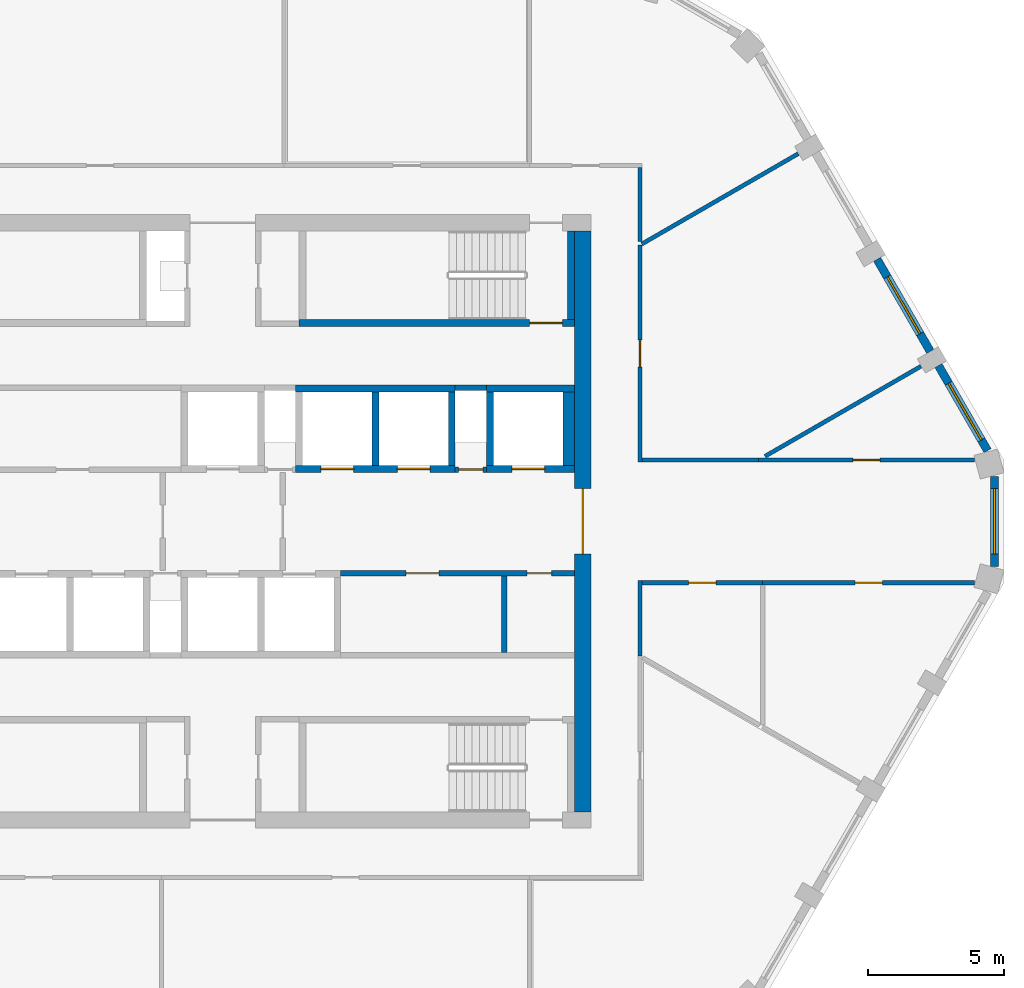
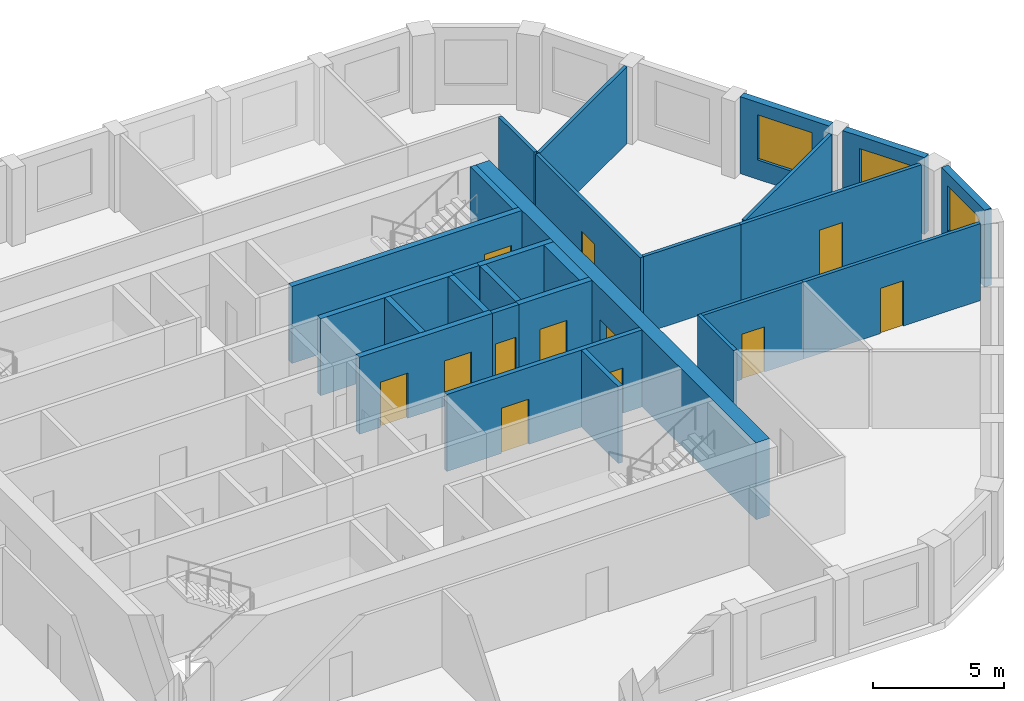
# One storey, part 5 of 10: 27 walls, 12 doors, 3 windows, 15 openings.
"""IFC4 building model written with IfcOpenShell, lengths in metres."""

from ifc_helpers import new_model, si_unit, direction, frame, frame_2d, origin, place, context, subcontext, project, spatial, polyline, rectangle, outline, extrude, material, layer, layer_set, type_object, element, fill, save


model = new_model("IFC4")

# Units and contexts
model_context = context("Model", 3, precision=1e-05, world=origin(), true_north=direction((0.0, 1.0)))
body_context = subcontext(model_context, "Body", "Model", "MODEL_VIEW")
ifc_project = project(units=[si_unit("LENGTHUNIT", "METRE"), si_unit("AREAUNIT", "SQUARE_METRE"), si_unit("VOLUMEUNIT", "CUBIC_METRE"), si_unit("PLANEANGLEUNIT", "RADIAN"), si_unit("MASSUNIT", "GRAM", prefix="KILO")], contexts=[model_context])

# Site, building, storey
site_placement = place(None, origin())
site = spatial("IfcSite", under=ifc_project, at=site_placement, CompositionType="ELEMENT")
building_placement = place(site_placement, origin())
building = spatial("IfcBuilding", under=site, at=building_placement, Name="Dhurran Vertical Campus", CompositionType="ELEMENT")
storey_placement = place(building_placement, frame((0.0, 0.0, 302.10009765625)))
storey = spatial("IfcBuildingStorey", under=building, at=storey_placement, Name="L75", CompositionType="ELEMENT", Elevation=302.10009765625)

# Wall, opening, window
ifc_material_1 = material(Name="Precast concrete C50/60", Category="concrete")
ifc_layer_1 = layer(ifc_material_1, 0.300048828125)
ifc_layer_set_1 = layer_set([ifc_layer_1], Name="Precast concrete C50/60")
wall_type_1 = type_object("IfcWallType", Name="Precast spandrel wall 300", PredefinedType="SOLIDWALL", material=ifc_layer_set_1)
wall_1_placement = place(storey_placement, frame((28.297119140625, -1.64990234375, 0.0), z_axis=(0.0, 0.0, 1.0), x_axis=(0.0, 1.0, 0.0)))
wall_1 = element("IfcWall", 1, at=wall_1_placement, inside=storey, type_object=wall_type_1, Name="EW1 L75.12", PredefinedType="SOLIDWALL", context=body_context, shape_type="SweptSolid", body=[
    extrude(rectangle(XDim=3.2998046875, YDim=0.300048828125, at=frame_2d((1.64990234375, 0.0))), origin(), (0.0, 0.0, 1.0), 3.574951171875),
])
opening_1_placement = place(wall_1_placement, frame((0.449951171875, 0.0, 0.89990234375)))
opening_1 = element("IfcOpeningElement", 2, at=opening_1_placement, cuts=wall_1, Name="Opening WT1", PredefinedType="OPENING", context=body_context, shape_type="SweptSolid", body=[
    extrude(rectangle(XDim=2.39990234375, YDim=2.10009765625, at=frame_2d((1.199951171875, 1.050048828125))), frame((0.0, 0.159912109375, 0.0), z_axis=(0.0, -1.0, 0.0), x_axis=(1.0, 0.0, 0.0)), (0.0, 0.0, 1.0), 0.320068359375),
])
ifc_material_2 = material(Name="Aluminium frame with solar-control glass", Category="aluminium")
window_type = type_object("IfcWindowType", Name="Punched window 2400 x 2100", PartitioningType="SINGLE_PANEL", PredefinedType="WINDOW", material=ifc_material_2)
window_1_placement = place(opening_1_placement, origin())
window_1 = element("IfcWindow", 3, at=window_1_placement, inside=storey, type_object=window_type, Name="WT1 L75.12", OverallHeight=2.10009765625, OverallWidth=2.39990234375, PartitioningType="SINGLE_PANEL", PredefinedType="WINDOW", context=body_context, shape_type="SweptSolid", body=[
    extrude(rectangle(XDim=2.39990234375, YDim=2.10009765625, at=frame_2d((1.199951171875, 1.050048828125))), frame((0.0, 0.030029296875, 0.0), z_axis=(0.0, -1.0, 0.0), x_axis=(1.0, 0.0, 0.0)), (0.0, 0.0, 1.0), 0.06005859375),
])
fill(opening_1, window_1)

wall_2_placement = place(storey_placement, frame((28.0439453125, 2.5947265625, 0.0), z_axis=(0.0, 0.0, 1.0), x_axis=(-0.499969057507, 0.866043267704, 0.0)))
wall_2 = element("IfcWall", 4, at=wall_2_placement, inside=storey, type_object=wall_type_1, Name="EW1 L75.13", PredefinedType="SOLIDWALL", context=body_context, shape_type="SweptSolid", body=[
    extrude(rectangle(XDim=3.599365234375, YDim=0.300048828125, at=frame_2d((1.7998046875, 0.0))), origin(), (0.0, 0.0, 1.0), 3.574951171875),
])
opening_2_placement = place(wall_2_placement, frame((0.449951171875, 0.0, 0.89990234375)))
opening_2 = element("IfcOpeningElement", 5, at=opening_2_placement, cuts=wall_2, Name="Opening WT1", PredefinedType="OPENING", context=body_context, shape_type="SweptSolid", body=[
    extrude(rectangle(XDim=2.39990234375, YDim=2.10009765625, at=frame_2d((1.199951171875, 1.050048828125))), frame((0.0, 0.159912109375, 0.0), z_axis=(0.0, -1.0, 0.0), x_axis=(1.0, 0.0, 0.0)), (0.0, 0.0, 1.0), 0.320068359375),
])
window_2_placement = place(opening_2_placement, origin())
window_2 = element("IfcWindow", 6, at=window_2_placement, inside=storey, type_object=window_type, Name="WT1 L75.13", OverallHeight=2.10009765625, OverallWidth=2.39990234375, PartitioningType="SINGLE_PANEL", PredefinedType="WINDOW", context=body_context, shape_type="SweptSolid", body=[
    extrude(rectangle(XDim=2.39990234375, YDim=2.10009765625, at=frame_2d((1.199951171875, 1.050048828125))), frame((0.0, 0.030029296875, 0.0), z_axis=(0.0, -1.0, 0.0), x_axis=(1.0, 0.0, 0.0)), (0.0, 0.0, 1.0), 0.06005859375),
])
fill(opening_2, window_2)

wall_3_placement = place(storey_placement, frame((25.94384765625, 6.232421875, 0.0), z_axis=(0.0, 0.0, 1.0), x_axis=(-0.500011542666, 0.866018739521, 0.0)))
wall_3 = element("IfcWall", 7, at=wall_3_placement, inside=storey, type_object=wall_type_1, Name="EW1 L75.14", PredefinedType="SOLIDWALL", context=body_context, shape_type="SweptSolid", body=[
    extrude(rectangle(XDim=3.89892578125, YDim=0.300048828125, at=frame_2d((1.949462890625, 0.0))), origin(), (0.0, 0.0, 1.0), 3.574951171875),
])
opening_3_placement = place(wall_3_placement, frame((0.74951171875, 0.0, 0.89990234375)))
opening_3 = element("IfcOpeningElement", 8, at=opening_3_placement, cuts=wall_3, Name="Opening WT1", PredefinedType="OPENING", context=body_context, shape_type="SweptSolid", body=[
    extrude(rectangle(XDim=2.39990234375, YDim=2.10009765625, at=frame_2d((1.199951171875, 1.050048828125))), frame((0.0, 0.159912109375, 0.0), z_axis=(0.0, -1.0, 0.0), x_axis=(1.0, 0.0, 0.0)), (0.0, 0.0, 1.0), 0.320068359375),
])
window_3_placement = place(opening_3_placement, origin())
window_3 = element("IfcWindow", 9, at=window_3_placement, inside=storey, type_object=window_type, Name="WT1 L75.14", OverallHeight=2.10009765625, OverallWidth=2.39990234375, PartitioningType="SINGLE_PANEL", PredefinedType="WINDOW", context=body_context, shape_type="SweptSolid", body=[
    extrude(rectangle(XDim=2.39990234375, YDim=2.10009765625, at=frame_2d((1.199951171875, 1.050048828125))), frame((0.0, 0.030029296875, 0.0), z_axis=(0.0, -1.0, 0.0), x_axis=(1.0, 0.0, 0.0)), (0.0, 0.0, 1.0), 0.06005859375),
])
fill(opening_3, window_3)

# Wall, opening, door
ifc_material_3 = material(Name="Concrete C50/60", Category="concrete")
ifc_layer_2 = layer(ifc_material_3, 0.60009765625)
ifc_layer_set_2 = layer_set([ifc_layer_2], Name="Concrete C50/60")
wall_type_2 = type_object("IfcWallType", Name="co-CORE-WALL-C2-600", PredefinedType="SHEAR", material=ifc_layer_set_2)
wall_4_placement = place(storey_placement, frame((13.199951171875, -10.64990234375, 0.0), z_axis=(0.0, 0.0, 1.0), x_axis=(0.0, 1.0, 0.0)))
wall_4 = element("IfcWall", 10, at=wall_4_placement, inside=storey, type_object=wall_type_2, Name="Core wall E L75", PredefinedType="SHEAR", context=body_context, shape_type="SweptSolid", body=[
    extrude(rectangle(XDim=21.2998046875, YDim=0.60009765625, at=frame_2d((10.64990234375, 0.0))), origin(), (0.0, 0.0, 1.0), 3.574951171875),
])
opening_4_placement = place(wall_4_placement, frame((9.449951171875, 0.0, 0.0)))
opening_4 = element("IfcOpeningElement", 11, at=opening_4_placement, cuts=wall_4, Name="Opening CL2", PredefinedType="OPENING", context=body_context, shape_type="SweptSolid", body=[
    extrude(rectangle(XDim=2.39990234375, YDim=2.10009765625, at=frame_2d((1.199951171875, 1.050048828125))), frame((0.0, 0.31005859375, 0.0), z_axis=(0.0, -1.0, 0.0), x_axis=(1.0, 0.0, 0.0)), (0.0, 0.0, 1.0), 0.6201171875),
])
ifc_material_4 = material(Name="Fire-rated glazed door set")
door_type_1 = type_object("IfcDoorType", Name="co-D-LOBBY 2400x2100", OperationType="DOUBLE_DOOR_DOUBLE_SWING", PredefinedType="DOOR", material=ifc_material_4)
door_1_placement = place(opening_4_placement, origin())
door_1 = element("IfcDoor", 12, at=door_1_placement, inside=storey, type_object=door_type_1, Name="Lift lobby door E L75", OperationType="DOUBLE_DOOR_DOUBLE_SWING", OverallHeight=2.10009765625, OverallWidth=2.39990234375, PredefinedType="DOOR", context=body_context, shape_type="SweptSolid", body=[
    extrude(rectangle(XDim=2.39990234375, YDim=2.10009765625, at=frame_2d((1.199951171875, 1.050048828125))), frame((0.0, 0.02490234375, 0.0), z_axis=(0.0, -1.0, 0.0), x_axis=(1.0, 0.0, 0.0)), (0.0, 0.0, 1.0), 0.050048828125),
])
fill(opening_4, door_1)

ifc_material_5 = material(Name="Fire-rated masonry blockwork", Category="masonry")
ifc_layer_3 = layer(ifc_material_5, 0.199951171875)
ifc_layer_set_3 = layer_set([ifc_layer_3], Name="Fire-rated masonry blockwork")
wall_type_3 = type_object("IfcWallType", Name="co-FIRE-PARTITION-200", PredefinedType="PARTITIONING", material=ifc_layer_set_3)
wall_5_placement = place(storey_placement, frame((8.52490234375, 1.89990234375, 0.0), z_axis=(0.0, 0.0, 1.0), x_axis=(1.0, 0.0, 0.0)))
wall_5 = element("IfcWall", 13, at=wall_5_placement, inside=storey, type_object=wall_type_3, Name="Core partition fr-N2-f L75", PredefinedType="PARTITIONING", context=body_context, shape_type="SweptSolid", body=[
    extrude(rectangle(XDim=1.150146484375, YDim=0.199951171875, at=frame_2d((0.5751953125, 0.0))), origin(), (0.0, 0.0, 1.0), 3.574951171875),
])
opening_5_placement = place(wall_5_placement, frame((0.125, 0.0, 0.0)))
opening_5 = element("IfcOpeningElement", 14, at=opening_5_placement, cuts=wall_5, Name="Opening T22-C8", PredefinedType="OPENING", context=body_context, shape_type="SweptSolid", body=[
    extrude(rectangle(XDim=0.89990234375, YDim=2.10009765625, at=frame_2d((0.449951171875, 1.050048828125))), frame((0.0, 0.10986328125, 0.0), z_axis=(0.0, -1.0, 0.0), x_axis=(1.0, 0.0, 0.0)), (0.0, 0.0, 1.0), 0.219970703125),
])
ifc_material_6 = material(Name="Fire-rated timber door set", Category="wood")
door_type_2 = type_object("IfcDoorType", Name="co-D-ROOM 900x2100", OperationType="SINGLE_SWING_LEFT", PredefinedType="DOOR", material=ifc_material_6)
door_2_placement = place(opening_5_placement, origin())
door_2 = element("IfcDoor", 15, at=door_2_placement, inside=storey, type_object=door_type_2, Name="Communications riser door L75", OperationType="SINGLE_SWING_LEFT", OverallHeight=2.10009765625, OverallWidth=0.89990234375, PredefinedType="DOOR", context=body_context, shape_type="SweptSolid", body=[
    extrude(rectangle(XDim=0.89990234375, YDim=2.10009765625, at=frame_2d((0.449951171875, 1.050048828125))), frame((0.0, 0.02490234375, 0.0), z_axis=(0.0, -1.0, 0.0), x_axis=(1.0, 0.0, 0.0)), (0.0, 0.0, 1.0), 0.050048828125),
])
fill(opening_5, door_2)

# Walls
wall_6_placement = place(storey_placement, frame((8.52490234375, 4.89990234375, 0.0), z_axis=(0.0, 0.0, 1.0), x_axis=(1.0, 0.0, 0.0)))
element("IfcWall", 16, at=wall_6_placement, inside=storey, type_object=wall_type_3, Name="Core partition fr-N2-b L75", PredefinedType="PARTITIONING", context=body_context, shape_type="SweptSolid", body=[
    extrude(rectangle(XDim=1.150146484375, YDim=0.199951171875, at=frame_2d((0.5751953125, 0.0))), origin(), (0.0, 0.0, 1.0), 3.574951171875),
])
wall_7_placement = place(storey_placement, frame((10.327392578125, -4.800048828125, 0.0), z_axis=(0.0, 0.0, 1.0), x_axis=(0.0, 1.0, 0.0)))
element("IfcWall", 17, at=wall_7_placement, inside=storey, type_object=wall_type_3, Name="Core partition fr-S2-cut0 L75", PredefinedType="PARTITIONING", context=body_context, shape_type="SweptSolid", body=[
    extrude(rectangle(XDim=2.800048828125, YDim=0.199951171875, at=frame_2d((1.39990234375, 0.0))), origin(), (0.0, 0.0, 1.0), 3.574951171875),
])

# Wall, openings, doors
wall_8_placement = place(storey_placement, frame((4.324951171875, -1.89990234375, 0.0), z_axis=(0.0, 0.0, 1.0), x_axis=(1.0, 0.0, 0.0)))
wall_8 = element("IfcWall", 18, at=wall_8_placement, inside=storey, type_object=wall_type_3, Name="Core partition fr-S2-f L75", PredefinedType="PARTITIONING", context=body_context, shape_type="SweptSolid", body=[
    extrude(rectangle(XDim=8.574951171875, YDim=0.199951171875, at=frame_2d((4.28759765625, 0.0))), origin(), (0.0, 0.0, 1.0), 3.574951171875),
])
opening_6_placement = place(wall_8_placement, frame((2.4013671875, 0.0, 0.0)))
opening_6 = element("IfcOpeningElement", 19, at=opening_6_placement, cuts=wall_8, Name="Opening T22-C11", PredefinedType="OPENING", context=body_context, shape_type="SweptSolid", body=[
    extrude(rectangle(XDim=1.199951171875, YDim=2.10009765625, at=frame_2d((0.60009765625, 1.050048828125))), frame((0.0, 0.10986328125, 0.0), z_axis=(0.0, -1.0, 0.0), x_axis=(1.0, 0.0, 0.0)), (0.0, 0.0, 1.0), 0.219970703125),
])
opening_7_placement = place(wall_8_placement, frame((6.8388671875, 0.0, 0.0)))
opening_7 = element("IfcOpeningElement", 20, at=opening_7_placement, cuts=wall_8, Name="Opening T22-C12", PredefinedType="OPENING", context=body_context, shape_type="SweptSolid", body=[
    extrude(rectangle(XDim=0.89990234375, YDim=2.10009765625, at=frame_2d((0.449951171875, 1.050048828125))), frame((0.0, 0.10986328125, 0.0), z_axis=(0.0, -1.0, 0.0), x_axis=(1.0, 0.0, 0.0)), (0.0, 0.0, 1.0), 0.219970703125),
])
door_3_placement = place(opening_7_placement, origin())
door_3 = element("IfcDoor", 21, at=door_3_placement, inside=storey, type_object=door_type_2, Name="Server room door L75", OperationType="SINGLE_SWING_LEFT", OverallHeight=2.10009765625, OverallWidth=0.89990234375, PredefinedType="DOOR", context=body_context, shape_type="SweptSolid", body=[
    extrude(rectangle(XDim=0.89990234375, YDim=2.10009765625, at=frame_2d((0.449951171875, 1.050048828125))), frame((0.0, 0.02490234375, 0.0), z_axis=(0.0, -1.0, 0.0), x_axis=(1.0, 0.0, 0.0)), (0.0, 0.0, 1.0), 0.050048828125),
])
fill(opening_7, door_3)
ifc_material_7 = material(Name="Fire-rated steel door set", Category="steel")
door_type_3 = type_object("IfcDoorType", Name="co-D-ROOM-PASSAGE 1200x2100", OperationType="SINGLE_SWING_RIGHT", PredefinedType="DOOR", material=ifc_material_7)
door_4_placement = place(opening_6_placement, origin())
door_4 = element("IfcDoor", 22, at=door_4_placement, inside=storey, type_object=door_type_3, Name="Store door L75", OperationType="SINGLE_SWING_RIGHT", OverallHeight=2.10009765625, OverallWidth=1.199951171875, PredefinedType="DOOR", context=body_context, shape_type="SweptSolid", body=[
    extrude(rectangle(XDim=1.199951171875, YDim=2.10009765625, at=frame_2d((0.60009765625, 1.050048828125))), frame((0.0, 0.02490234375, 0.0), z_axis=(0.0, -1.0, 0.0), x_axis=(1.0, 0.0, 0.0)), (0.0, 0.0, 1.0), 0.050048828125),
])
fill(opening_6, door_4)

ifc_material_8 = material(Name="Concrete C50/60", Category="concrete")
ifc_layer_4 = layer(ifc_material_8, 0.25)
ifc_layer_set_4 = layer_set([ifc_layer_4], Name="Concrete C50/60")
wall_type_4 = type_object("IfcWallType", Name="co-SHAFT-FRONT-250", PredefinedType="SHEAR", material=ifc_layer_set_4)
wall_9_placement = place(storey_placement, frame((2.675048828125, 1.925048828125, 0.0), z_axis=(0.0, 0.0, 1.0), x_axis=(1.0, 0.0, 0.0)))
wall_9 = element("IfcWall", 23, at=wall_9_placement, inside=storey, type_object=wall_type_4, Name="Lift landing wall N L75", PredefinedType="SHEAR", context=body_context, shape_type="SweptSolid", body=[
    extrude(rectangle(XDim=5.849853515625, YDim=0.25, at=frame_2d((2.9248046875, 0.0))), origin(), (0.0, 0.0, 1.0), 3.574951171875),
])
opening_8_placement = place(wall_9_placement, frame((0.925048828125, 0.0, 0.0)))
opening_8 = element("IfcOpeningElement", 24, at=opening_8_placement, cuts=wall_9, Name="Opening LD", PredefinedType="OPENING", context=body_context, shape_type="SweptSolid", body=[
    extrude(rectangle(XDim=1.199951171875, YDim=2.10009765625, at=frame_2d((0.60009765625, 1.050048828125))), frame((0.0, 0.135009765625, 0.0), z_axis=(0.0, -1.0, 0.0), x_axis=(1.0, 0.0, 0.0)), (0.0, 0.0, 1.0), 0.27001953125),
])
opening_9_placement = place(wall_9_placement, frame((3.72509765625, 0.0, 0.0)))
opening_9 = element("IfcOpeningElement", 25, at=opening_9_placement, cuts=wall_9, Name="Opening LD", PredefinedType="OPENING", context=body_context, shape_type="SweptSolid", body=[
    extrude(rectangle(XDim=1.199951171875, YDim=2.10009765625, at=frame_2d((0.60009765625, 1.050048828125))), frame((0.0, 0.135009765625, 0.0), z_axis=(0.0, -1.0, 0.0), x_axis=(1.0, 0.0, 0.0)), (0.0, 0.0, 1.0), 0.27001953125),
])
ifc_material_9 = material(Name="Stainless steel landing door", Category="steel")
door_type_4 = type_object("IfcDoorType", Name="co-D-LANDING 1200x2100", OperationType="DOUBLE_DOOR_SLIDING", PredefinedType="DOOR", material=ifc_material_9)
door_5_placement = place(opening_8_placement, origin())
door_5 = element("IfcDoor", 26, at=door_5_placement, inside=storey, type_object=door_type_4, Name="Landing door HR1 L75", OperationType="DOUBLE_DOOR_SLIDING", OverallHeight=2.10009765625, OverallWidth=1.199951171875, PredefinedType="DOOR", context=body_context, shape_type="SweptSolid", body=[
    extrude(rectangle(XDim=1.199951171875, YDim=2.10009765625, at=frame_2d((0.60009765625, 1.050048828125))), frame((0.0, 0.02490234375, 0.0), z_axis=(0.0, -1.0, 0.0), x_axis=(1.0, 0.0, 0.0)), (0.0, 0.0, 1.0), 0.050048828125),
])
fill(opening_8, door_5)
door_6_placement = place(opening_9_placement, origin())
door_6 = element("IfcDoor", 27, at=door_6_placement, inside=storey, type_object=door_type_4, Name="Landing door HR2 L75", OperationType="DOUBLE_DOOR_SLIDING", OverallHeight=2.10009765625, OverallWidth=1.199951171875, PredefinedType="DOOR", context=body_context, shape_type="SweptSolid", body=[
    extrude(rectangle(XDim=1.199951171875, YDim=2.10009765625, at=frame_2d((0.60009765625, 1.050048828125))), frame((0.0, 0.02490234375, 0.0), z_axis=(0.0, -1.0, 0.0), x_axis=(1.0, 0.0, 0.0)), (0.0, 0.0, 1.0), 0.050048828125),
])
fill(opening_9, door_6)

# Wall, opening, door
wall_10_placement = place(storey_placement, frame((9.675048828125, 1.925048828125, 0.0), z_axis=(0.0, 0.0, 1.0), x_axis=(1.0, 0.0, 0.0)))
wall_10 = element("IfcWall", 28, at=wall_10_placement, inside=storey, type_object=wall_type_4, Name="Lift landing wall N L75", PredefinedType="SHEAR", context=body_context, shape_type="SweptSolid", body=[
    extrude(rectangle(XDim=3.224853515625, YDim=0.25, at=frame_2d((1.6123046875, 0.0))), origin(), (0.0, 0.0, 1.0), 3.574951171875),
])
opening_10_placement = place(wall_10_placement, frame((0.925048828125, 0.0, 0.0)))
opening_10 = element("IfcOpeningElement", 29, at=opening_10_placement, cuts=wall_10, Name="Opening LD", PredefinedType="OPENING", context=body_context, shape_type="SweptSolid", body=[
    extrude(rectangle(XDim=1.199951171875, YDim=2.10009765625, at=frame_2d((0.60009765625, 1.050048828125))), frame((0.0, 0.135009765625, 0.0), z_axis=(0.0, -1.0, 0.0), x_axis=(1.0, 0.0, 0.0)), (0.0, 0.0, 1.0), 0.27001953125),
])
door_7_placement = place(opening_10_placement, origin())
door_7 = element("IfcDoor", 30, at=door_7_placement, inside=storey, type_object=door_type_4, Name="Landing door SV2 L75", OperationType="DOUBLE_DOOR_SLIDING", OverallHeight=2.10009765625, OverallWidth=1.199951171875, PredefinedType="DOOR", context=body_context, shape_type="SweptSolid", body=[
    extrude(rectangle(XDim=1.199951171875, YDim=2.10009765625, at=frame_2d((0.60009765625, 1.050048828125))), frame((0.0, 0.02490234375, 0.0), z_axis=(0.0, -1.0, 0.0), x_axis=(1.0, 0.0, 0.0)), (0.0, 0.0, 1.0), 0.050048828125),
])
fill(opening_10, door_7)

# Walls
ifc_material_10 = material(Name="Concrete C50/60", Category="concrete")
ifc_layer_5 = layer(ifc_material_10, 0.25)
ifc_layer_set_5 = layer_set([ifc_layer_5], Name="Concrete C50/60")
wall_type_5 = type_object("IfcWallType", Name="co-SHAFT-MASS-250", PredefinedType="SHEAR", material=ifc_layer_set_5)
wall_11_placement = place(storey_placement, origin())
element("IfcWall", 31, at=wall_11_placement, inside=storey, type_object=wall_type_5, Name="Lift shaft wall N L75 2", PredefinedType="SHEAR", context=body_context, shape_type="SweptSolid", body=[
    extrude(outline(polyline([(2.675048828125, 4.75), (8.52490234375, 4.75), (8.52490234375, 5.0), (2.675048828125, 5.0), (2.675048828125, 4.75)])), origin(), (0.0, 0.0, 1.0), 3.574951171875),
])
wall_12_placement = place(storey_placement, origin())
element("IfcWall", 32, at=wall_12_placement, inside=storey, type_object=wall_type_5, Name="Lift shaft wall N L75 3", PredefinedType="SHEAR", context=body_context, shape_type="SweptSolid", body=[
    extrude(outline(polyline([(9.675048828125, 4.75), (12.89990234375, 4.75), (12.89990234375, 5.0), (9.675048828125, 5.0), (9.675048828125, 4.75)])), origin(), (0.0, 0.0, 1.0), 3.574951171875),
])
wall_13_placement = place(storey_placement, origin())
element("IfcWall", 33, at=wall_13_placement, inside=storey, type_object=wall_type_5, Name="Lift shaft wall N L75 7", PredefinedType="SHEAR", context=body_context, shape_type="SweptSolid", body=[
    extrude(outline(polyline([(5.47509765625, 2.050048828125), (5.72509765625, 2.050048828125), (5.72509765625, 4.75), (5.47509765625, 4.75), (5.47509765625, 2.050048828125)])), origin(), (0.0, 0.0, 1.0), 3.574951171875),
])
wall_14_placement = place(storey_placement, origin())
element("IfcWall", 34, at=wall_14_placement, inside=storey, type_object=wall_type_5, Name="Lift shaft wall N L75 8", PredefinedType="SHEAR", context=body_context, shape_type="SweptSolid", body=[
    extrude(outline(polyline([(8.27490234375, 2.050048828125), (8.52490234375, 2.050048828125), (8.52490234375, 4.75), (8.27490234375, 4.75), (8.27490234375, 2.050048828125)])), origin(), (0.0, 0.0, 1.0), 3.574951171875),
])
wall_15_placement = place(storey_placement, origin())
element("IfcWall", 35, at=wall_15_placement, inside=storey, type_object=wall_type_5, Name="Lift shaft wall N L75 9", PredefinedType="SHEAR", context=body_context, shape_type="SweptSolid", body=[
    extrude(outline(polyline([(9.675048828125, 2.050048828125), (9.925048828125, 2.050048828125), (9.925048828125, 4.75), (9.675048828125, 4.75), (9.675048828125, 2.050048828125)])), origin(), (0.0, 0.0, 1.0), 3.574951171875),
])
wall_16_placement = place(storey_placement, origin())
element("IfcWall", 36, at=wall_16_placement, inside=storey, type_object=wall_type_5, Name="Lift shaft wall N L75 10", PredefinedType="SHEAR", context=body_context, shape_type="SweptSolid", body=[
    extrude(outline(polyline([(12.47509765625, 2.050048828125), (12.89990234375, 2.050048828125), (12.89990234375, 4.75), (12.47509765625, 4.75), (12.47509765625, 2.050048828125)])), origin(), (0.0, 0.0, 1.0), 3.574951171875),
])

# Wall, opening, door
ifc_material_11 = material(Name="Concrete C40/50", Category="concrete")
ifc_layer_6 = layer(ifc_material_11, 0.25)
ifc_layer_set_6 = layer_set([ifc_layer_6], Name="Concrete C40/50")
wall_type_6 = type_object("IfcWallType", Name="co-STAIR-WALL-250", PredefinedType="SHEAR", material=ifc_layer_set_6)
wall_17_placement = place(storey_placement, frame((2.800048828125, 7.27490234375, 0.0), z_axis=(0.0, 0.0, 1.0), x_axis=(1.0, 0.0, 0.0)))
wall_17 = element("IfcWall", 37, at=wall_17_placement, inside=storey, type_object=wall_type_6, Name="Stair ST2 enclosure wall L75", PredefinedType="SHEAR", context=body_context, shape_type="SweptSolid", body=[
    extrude(rectangle(XDim=10.099853515625, YDim=0.25, at=frame_2d((5.0498046875, 0.0))), origin(), (0.0, 0.0, 1.0), 3.574951171875),
])
opening_11_placement = place(wall_17_placement, frame((8.449951171875, 0.0, 0.0)))
opening_11 = element("IfcOpeningElement", 38, at=opening_11_placement, cuts=wall_17, Name="Opening SD2", PredefinedType="OPENING", context=body_context, shape_type="SweptSolid", body=[
    extrude(rectangle(XDim=1.199951171875, YDim=2.10009765625, at=frame_2d((0.60009765625, 1.050048828125))), frame((0.0, 0.135009765625, 0.0), z_axis=(0.0, -1.0, 0.0), x_axis=(1.0, 0.0, 0.0)), (0.0, 0.0, 1.0), 0.27001953125),
])
ifc_material_12 = material(Name="Fire-rated steel door set", Category="steel")
door_type_5 = type_object("IfcDoorType", Name="co-D-STAIR 1200x2100", OperationType="SINGLE_SWING_LEFT", PredefinedType="DOOR", material=ifc_material_12)
door_8_placement = place(opening_11_placement, origin())
door_8 = element("IfcDoor", 39, at=door_8_placement, inside=storey, type_object=door_type_5, Name="Stair ST2 door L75", OperationType="SINGLE_SWING_LEFT", OverallHeight=2.10009765625, OverallWidth=1.199951171875, PredefinedType="DOOR", context=body_context, shape_type="SweptSolid", body=[
    extrude(rectangle(XDim=1.199951171875, YDim=2.10009765625, at=frame_2d((0.60009765625, 1.050048828125))), frame((0.0, 0.02490234375, 0.0), z_axis=(0.0, -1.0, 0.0), x_axis=(1.0, 0.0, 0.0)), (0.0, 0.0, 1.0), 0.050048828125),
])
fill(opening_11, door_8)

# Walls
wall_18_placement = place(storey_placement, frame((12.77490234375, 7.39990234375, 0.0), z_axis=(0.0, 0.0, 1.0), x_axis=(0.0, 1.0, 0.0)))
element("IfcWall", 40, at=wall_18_placement, inside=storey, type_object=wall_type_6, Name="Stair ST2 enclosure wall L75", PredefinedType="SHEAR", context=body_context, shape_type="SweptSolid", body=[
    extrude(rectangle(XDim=3.25, YDim=0.25, at=frame_2d((1.625, 0.0))), origin(), (0.0, 0.0, 1.0), 3.574951171875),
])
ifc_material_13 = material(Name="Gypsum board corridor wall on steel studs", Category="steel")
ifc_layer_7 = layer(ifc_material_13, 0.14990234375)
ifc_layer_set_7 = layer_set([ifc_layer_7], Name="Gypsum board corridor wall on steel studs")
wall_type_7 = type_object("IfcWallType", Name="fl-CW-150 corridor wall", PredefinedType="PARTITIONING", material=ifc_layer_set_7)
wall_19_placement = place(storey_placement, frame((15.300048828125, -4.93603515625, 0.0), z_axis=(0.0, 0.0, 1.0), x_axis=(0.0, 1.0, 0.0)))
element("IfcWall", 41, at=wall_19_placement, inside=storey, type_object=wall_type_7, Name="Partition 75-33", PredefinedType="PARTITIONING", context=body_context, shape_type="SweptSolid", body=[
    extrude(rectangle(XDim=2.760986328125, YDim=0.14990234375, at=frame_2d((1.38037109375, 0.0))), origin(), (0.0, 0.0, 1.0), 3.574951171875),
])

# Wall, opening, door
wall_20_placement = place(storey_placement, frame((19.800048828125, -2.25, 0.0), z_axis=(0.0, 0.0, 1.0), x_axis=(-1.0, 0.0, 0.0)))
wall_20 = element("IfcWall", 42, at=wall_20_placement, inside=storey, type_object=wall_type_7, Name="Partition 75-35", PredefinedType="PARTITIONING", context=body_context, shape_type="SweptSolid", body=[
    extrude(rectangle(XDim=4.425048828125, YDim=0.14990234375, at=frame_2d((2.21240234375, 0.0))), origin(), (0.0, 0.0, 1.0), 3.574951171875),
])
opening_12_placement = place(wall_20_placement, frame((1.71240234375, 0.0, 0.0)))
opening_12 = element("IfcOpeningElement", 43, at=opening_12_placement, cuts=wall_20, Name="Opening T22.14", PredefinedType="OPENING", context=body_context, shape_type="SweptSolid", body=[
    extrude(rectangle(XDim=1.0, YDim=2.10009765625, at=frame_2d((0.5, 1.050048828125))), frame((0.0, 0.0849609375, 0.0), z_axis=(0.0, -1.0, 0.0), x_axis=(1.0, 0.0, 0.0)), (0.0, 0.0, 1.0), 0.169921875),
])
ifc_material_14 = material(Name="Solid-core timber door set, fire-rated", Category="wood")
door_type_6 = type_object("IfcDoorType", Name="fl-D-1000x2100", OperationType="SINGLE_SWING_LEFT", PredefinedType="DOOR", material=ifc_material_14)
door_9_placement = place(opening_12_placement, origin())
door_9 = element("IfcDoor", 44, at=door_9_placement, inside=storey, type_object=door_type_6, Name="Door 75.14", OperationType="SINGLE_SWING_RIGHT", OverallHeight=2.10009765625, OverallWidth=1.0, PredefinedType="DOOR", context=body_context, shape_type="SweptSolid", body=[
    extrude(rectangle(XDim=1.0, YDim=2.10009765625, at=frame_2d((0.5, 1.050048828125))), frame((0.0, 0.02490234375, 0.0), z_axis=(0.0, -1.0, 0.0), x_axis=(1.0, 0.0, 0.0)), (0.0, 0.0, 1.0), 0.050048828125),
])
fill(opening_12, door_9)

wall_21_placement = place(storey_placement, frame((15.300048828125, 2.175048828125, 0.0), z_axis=(0.0, 0.0, 1.0), x_axis=(0.0, 1.0, 0.0)))
wall_21 = element("IfcWall", 45, at=wall_21_placement, inside=storey, type_object=wall_type_7, Name="Partition 75-36", PredefinedType="PARTITIONING", context=body_context, shape_type="SweptSolid", body=[
    extrude(rectangle(XDim=7.95703125, YDim=0.14990234375, at=frame_2d((3.978515625, 0.0))), origin(), (0.0, 0.0, 1.0), 3.574951171875),
])
opening_13_placement = place(wall_21_placement, frame((3.478515625, 0.0, 0.0)))
opening_13 = element("IfcOpeningElement", 46, at=opening_13_placement, cuts=wall_21, Name="Opening T22.15", PredefinedType="OPENING", context=body_context, shape_type="SweptSolid", body=[
    extrude(rectangle(XDim=1.0, YDim=2.10009765625, at=frame_2d((0.5, 1.050048828125))), frame((0.0, 0.0849609375, 0.0), z_axis=(0.0, -1.0, 0.0), x_axis=(1.0, 0.0, 0.0)), (0.0, 0.0, 1.0), 0.169921875),
])
door_10_placement = place(opening_13_placement, origin())
door_10 = element("IfcDoor", 47, at=door_10_placement, inside=storey, type_object=door_type_6, Name="Door 75.15", OperationType="SINGLE_SWING_RIGHT", OverallHeight=2.10009765625, OverallWidth=1.0, PredefinedType="DOOR", context=body_context, shape_type="SweptSolid", body=[
    extrude(rectangle(XDim=1.0, YDim=2.10009765625, at=frame_2d((0.5, 1.050048828125))), frame((0.0, 0.02490234375, 0.0), z_axis=(0.0, -1.0, 0.0), x_axis=(1.0, 0.0, 0.0)), (0.0, 0.0, 1.0), 0.050048828125),
])
fill(opening_13, door_10)

# Walls
wall_22_placement = place(storey_placement, frame((15.375, 2.25, 0.0), z_axis=(0.0, 0.0, 1.0), x_axis=(1.0, 0.0, 0.0)))
element("IfcWall", 48, at=wall_22_placement, inside=storey, type_object=wall_type_7, Name="Partition 75-37", PredefinedType="PARTITIONING", context=body_context, shape_type="SweptSolid", body=[
    extrude(rectangle(XDim=4.27197265625, YDim=0.14990234375, at=frame_2d((2.135986328125, 0.0))), origin(), (0.0, 0.0, 1.0), 3.574951171875),
])
wall_23_placement = place(storey_placement, frame((15.300048828125, 10.261962890625, 0.0), z_axis=(0.0, 0.0, 1.0), x_axis=(0.0, 1.0, 0.0)))
element("IfcWall", 49, at=wall_23_placement, inside=storey, type_object=wall_type_7, Name="Partition 75-38", PredefinedType="PARTITIONING", context=body_context, shape_type="SweptSolid", body=[
    extrude(rectangle(XDim=2.713134765625, YDim=0.14990234375, at=frame_2d((1.3564453125, 0.0))), origin(), (0.0, 0.0, 1.0), 3.574951171875),
])

# Wall, opening, door
wall_24_placement = place(storey_placement, frame((19.64697265625, 2.25, 0.0), z_axis=(0.0, 0.0, 1.0), x_axis=(1.0, 0.0, 0.0)))
wall_24 = element("IfcWall", 50, at=wall_24_placement, inside=storey, type_object=wall_type_7, Name="Partition 75-41", PredefinedType="PARTITIONING", context=body_context, shape_type="SweptSolid", body=[
    extrude(rectangle(XDim=7.9228515625, YDim=0.14990234375, at=frame_2d((3.96142578125, 0.0))), origin(), (0.0, 0.0, 1.0), 3.574951171875),
])
opening_14_placement = place(wall_24_placement, frame((3.46142578125, 0.0, 0.0)))
opening_14 = element("IfcOpeningElement", 51, at=opening_14_placement, cuts=wall_24, Name="Opening T22.17", PredefinedType="OPENING", context=body_context, shape_type="SweptSolid", body=[
    extrude(rectangle(XDim=1.0, YDim=2.10009765625, at=frame_2d((0.5, 1.050048828125))), frame((0.0, 0.0849609375, 0.0), z_axis=(0.0, -1.0, 0.0), x_axis=(1.0, 0.0, 0.0)), (0.0, 0.0, 1.0), 0.169921875),
])
door_11_placement = place(opening_14_placement, origin())
door_11 = element("IfcDoor", 52, at=door_11_placement, inside=storey, type_object=door_type_6, Name="Door 75.17", OperationType="SINGLE_SWING_RIGHT", OverallHeight=2.10009765625, OverallWidth=1.0, PredefinedType="DOOR", context=body_context, shape_type="SweptSolid", body=[
    extrude(rectangle(XDim=1.0, YDim=2.10009765625, at=frame_2d((0.5, 1.050048828125))), frame((0.0, 0.02490234375, 0.0), z_axis=(0.0, -1.0, 0.0), x_axis=(1.0, 0.0, 0.0)), (0.0, 0.0, 1.0), 0.050048828125),
])
fill(opening_14, door_11)

wall_25_placement = place(storey_placement, frame((27.56982421875, -2.25, 0.0), z_axis=(0.0, 0.0, 1.0), x_axis=(-1.0, 0.0, 0.0)))
wall_25 = element("IfcWall", 53, at=wall_25_placement, inside=storey, type_object=wall_type_7, Name="Partition 75-44", PredefinedType="PARTITIONING", context=body_context, shape_type="SweptSolid", body=[
    extrude(rectangle(XDim=7.769775390625, YDim=0.14990234375, at=frame_2d((3.884765625, 0.0))), origin(), (0.0, 0.0, 1.0), 3.574951171875),
])
opening_15_placement = place(wall_25_placement, frame((3.385009765625, 0.0, 0.0)))
opening_15 = element("IfcOpeningElement", 54, at=opening_15_placement, cuts=wall_25, Name="Opening T22.16", PredefinedType="OPENING", context=body_context, shape_type="SweptSolid", body=[
    extrude(rectangle(XDim=1.0, YDim=2.10009765625, at=frame_2d((0.5, 1.050048828125))), frame((0.0, 0.0849609375, 0.0), z_axis=(0.0, -1.0, 0.0), x_axis=(1.0, 0.0, 0.0)), (0.0, 0.0, 1.0), 0.169921875),
])
door_12_placement = place(opening_15_placement, origin())
door_12 = element("IfcDoor", 55, at=door_12_placement, inside=storey, type_object=door_type_6, Name="Door 75.16", OperationType="SINGLE_SWING_LEFT", OverallHeight=2.10009765625, OverallWidth=1.0, PredefinedType="DOOR", context=body_context, shape_type="SweptSolid", body=[
    extrude(rectangle(XDim=1.0, YDim=2.10009765625, at=frame_2d((0.5, 1.050048828125))), frame((0.0, 0.02490234375, 0.0), z_axis=(0.0, -1.0, 0.0), x_axis=(1.0, 0.0, 0.0)), (0.0, 0.0, 1.0), 0.050048828125),
])
fill(opening_15, door_12)

# Walls
ifc_material_15 = material(Name="Gypsum board partition on steel studs", Category="steel")
ifc_layer_8 = layer(ifc_material_15, 0.14990234375)
ifc_layer_set_8 = layer_set([ifc_layer_8], Name="Gypsum board partition on steel studs")
wall_type_8 = type_object("IfcWallType", Name="fl-PW-150 fixed partition", PredefinedType="PARTITIONING", material=ifc_layer_set_8)
wall_26_placement = place(storey_placement, frame((21.100341796875, 13.481201171875, 0.0), z_axis=(0.0, 0.0, 1.0), x_axis=(-0.865995273703, -0.500052183202, 0.0)))
element("IfcWall", 56, at=wall_26_placement, inside=storey, type_object=wall_type_8, Name="Partition 75-39", PredefinedType="PARTITIONING", context=body_context, shape_type="SweptSolid", body=[
    extrude(rectangle(XDim=6.622802734375, YDim=0.14990234375, at=frame_2d((3.3115234375, 0.0))), origin(), (0.0, 0.0, 1.0), 3.574951171875),
])
wall_27_placement = place(storey_placement, frame((25.600341796875, 5.687255859375, 0.0), z_axis=(0.0, 0.0, 1.0), x_axis=(-0.86601246718, -0.500022406186, 0.0)))
element("IfcWall", 57, at=wall_27_placement, inside=storey, type_object=wall_type_8, Name="Partition 75-40", PredefinedType="PARTITIONING", context=body_context, shape_type="SweptSolid", body=[
    extrude(rectangle(XDim=6.599365234375, YDim=0.14990234375, at=frame_2d((3.2998046875, 0.0))), origin(), (0.0, 0.0, 1.0), 3.574951171875),
])

save(model, "model.ifc")
